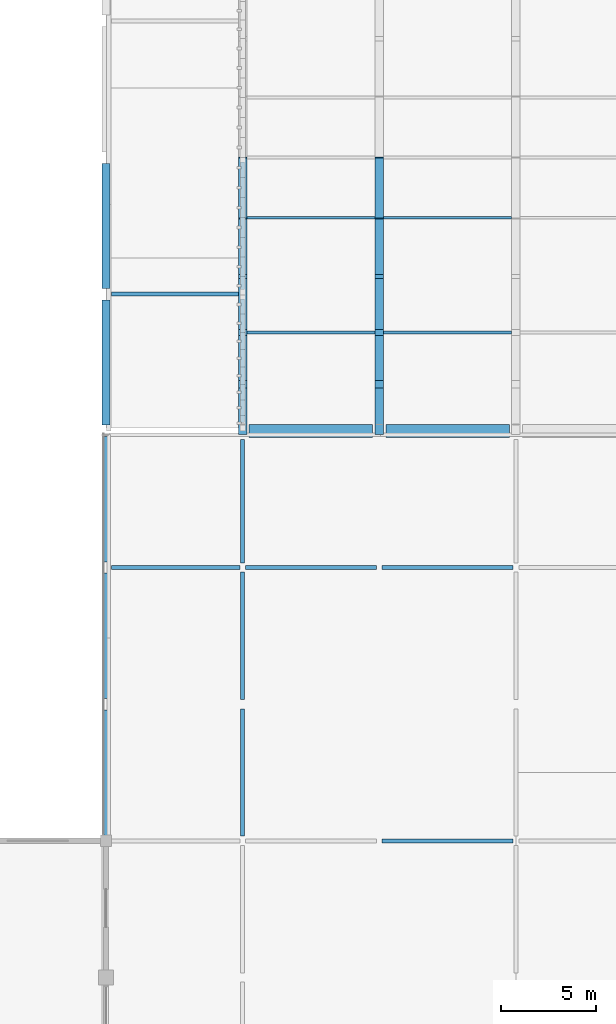
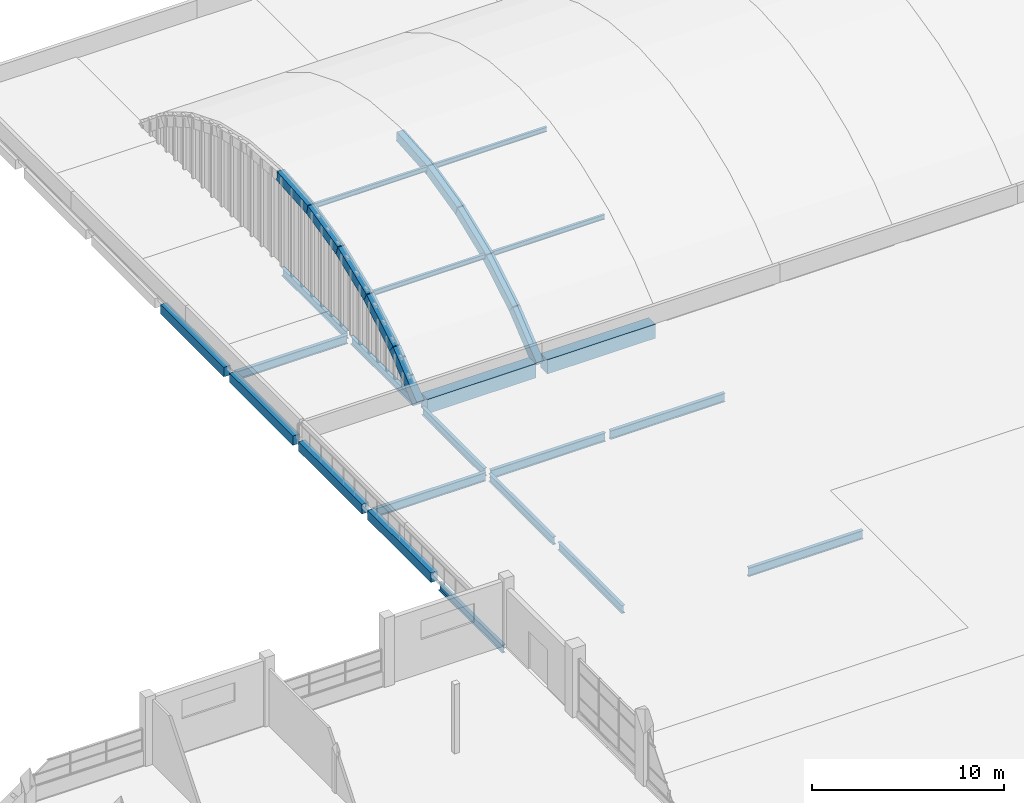
# One storey, part 24 of 71: 31 beams.
"""IFC4 building model written with IfcOpenShell, lengths in metres."""

from ifc_helpers import new_model, si_unit, direction, frame, origin, origin_2d, place, context, subcontext, project, spatial, rectangle, i_section, extrude, material, material_profile, profile_set, type_object, element, save


model = new_model("IFC4")

# Units and contexts
model_context = context("Model", 3, precision=1e-05, world=origin(), true_north=direction((0.0, 1.0)))
body_context = subcontext(model_context, "Body", "Model", "MODEL_VIEW")
ifc_project = project(units=[si_unit("LENGTHUNIT", "METRE"), si_unit("AREAUNIT", "SQUARE_METRE"), si_unit("VOLUMEUNIT", "CUBIC_METRE"), si_unit("PLANEANGLEUNIT", "RADIAN"), si_unit("MASSUNIT", "GRAM", prefix="KILO")], contexts=[model_context])

# Site, building, storey
site_placement = place(None, origin())
site = spatial("IfcSite", under=ifc_project, at=site_placement, CompositionType="ELEMENT")
building_placement = place(site_placement, origin())
building = spatial("IfcBuilding", under=site, at=building_placement, Name="Sardonyx Promenade Sports Hall", CompositionType="ELEMENT")
storey_placement = place(building_placement, frame((0.0, 0.0, 16.0)))
storey = spatial("IfcBuildingStorey", under=building, at=storey_placement, Name="L03", CompositionType="ELEMENT", Elevation=16.0)

# Beams
ifc_material_1 = material(Name="Steel S355JR", Category="steel")
ifc_material_profile_1 = material_profile(ifc_material_1, i_section(OverallWidth=0.199951171875, OverallDepth=0.5, WebThickness=0.01025390625, FlangeThickness=0.01611328125, at=origin_2d()))
ifc_profile_set_1 = profile_set([ifc_material_profile_1], Name="Steel S355JR")
beam_type_1 = type_object("IfcBeamType", Name="Bm_Primary_IPE500", PredefinedType="BEAM", material=ifc_profile_set_1)
beam_1_placement = place(storey_placement, frame((108.0, 29.044921875, -0.489990234375), z_axis=(0.0, 1.0, 0.0), x_axis=(-1.0, 0.0, 0.0)))
element("IfcBeam", 1, at=beam_1_placement, inside=storey, type_object=beam_type_1, Name="Beam SB06 L03 #873", PredefinedType="BEAM", context=body_context, shape_type="SweptSolid", body=[
    extrude(i_section(OverallWidth=0.199951171875, OverallDepth=0.5, WebThickness=0.01025390625, FlangeThickness=0.01611328125, at=origin_2d()), origin(), (0.0, 0.0, 1.0), 6.655029296875),
])
for number, where, z_axis, x_axis, name in (
    (2, (115.199951171875, 29.044921875, -0.489990234375), (0.0, 1.0, 0.0), (-1.0, 0.0, 0.0), "Beam SB06 L03 #885"),
    (3, (115.199951171875, 36.2451171875, -0.489990234375), (0.0, 1.0, 0.0), (-1.0, 0.0, 0.0), "Beam SB06 L03 #886"),
):
    element("IfcBeam", number, at=place(storey_placement, frame(where, z_axis=z_axis, x_axis=x_axis)), inside=storey, type_object=beam_type_1, Name=name, PredefinedType="BEAM", context=body_context, shape_type="SweptSolid", body=[
        extrude(i_section(OverallWidth=0.199951171875, OverallDepth=0.5, WebThickness=0.01025390625, FlangeThickness=0.01611328125, at=origin_2d()), origin(), (0.0, 0.0, 1.0), 6.7099609375),
    ])
for number, where, z_axis, x_axis, name in (
    (4, (115.199951171875, 43.445068359375, -0.489990234375), (0.0, 1.0, 0.0), (-1.0, 0.0, 0.0), "Beam SB06 L03 #887"),
    (5, (115.199951171875, 50.85009765625, -0.47998046875), (0.0, 1.0, 0.0), (-1.0, 0.0, 0.0), "Beam SB06 L03 #888"),
):
    element("IfcBeam", number, at=place(storey_placement, frame(where, z_axis=z_axis, x_axis=x_axis)), inside=storey, type_object=beam_type_1, Name=name, PredefinedType="BEAM", context=body_context, shape_type="SweptSolid", body=[
        extrude(i_section(OverallWidth=0.199951171875, OverallDepth=0.5, WebThickness=0.01025390625, FlangeThickness=0.01611328125, at=origin_2d()), origin(), (0.0, 0.0, 1.0), 6.5048828125),
    ])
beam_2_placement = place(storey_placement, frame((115.199951171875, 57.844970703125, -0.47998046875), z_axis=(0.0, 1.0, 0.0), x_axis=(-1.0, 0.0, 0.0)))
element("IfcBeam", 6, at=beam_2_placement, inside=storey, type_object=beam_type_1, Name="Beam SB06 L03 #889", PredefinedType="BEAM", context=body_context, shape_type="SweptSolid", body=[
    extrude(i_section(OverallWidth=0.199951171875, OverallDepth=0.5, WebThickness=0.01025390625, FlangeThickness=0.01611328125, at=origin_2d()), origin(), (0.0, 0.0, 1.0), 6.7099609375),
])
ifc_material_2 = material(Name="Steel S355JR", Category="steel")
ifc_material_profile_2 = material_profile(ifc_material_2, i_section(OverallWidth=0.2099609375, OverallDepth=0.550048828125, WebThickness=0.010986328125, FlangeThickness=0.01708984375, at=origin_2d()))
ifc_profile_set_2 = profile_set([ifc_material_profile_2], Name="Steel S355JR")
beam_type_2 = type_object("IfcBeamType", Name="Bm_Primary_IPE550", PredefinedType="BEAM", material=ifc_profile_set_2)
beam_3_placement = place(storey_placement, frame((122.550048828125, 28.800048828125, -0.514892578125), z_axis=(1.0, 0.0, 0.0), x_axis=(0.0, 1.0, 0.0)))
element("IfcBeam", 7, at=beam_3_placement, inside=storey, type_object=beam_type_2, Name="Beam SB03 L03 #769", PredefinedType="BEAM", context=body_context, shape_type="SweptSolid", body=[
    extrude(i_section(OverallWidth=0.2099609375, OverallDepth=0.550048828125, WebThickness=0.010986328125, FlangeThickness=0.01708984375, at=origin_2d()), origin(), (0.0, 0.0, 1.0), 6.89990234375),
])
beam_4_placement = place(storey_placement, frame((108.300048828125, 43.199951171875, -0.514892578125), z_axis=(1.0, 0.0, 0.0), x_axis=(0.0, 1.0, 0.0)))
element("IfcBeam", 8, at=beam_4_placement, inside=storey, type_object=beam_type_2, Name="Beam SB03 L03 #776", PredefinedType="BEAM", context=body_context, shape_type="SweptSolid", body=[
    extrude(i_section(OverallWidth=0.2099609375, OverallDepth=0.550048828125, WebThickness=0.010986328125, FlangeThickness=0.01708984375, at=origin_2d()), origin(), (0.0, 0.0, 1.0), 6.75),
])
for number, where, z_axis, x_axis, name in (
    (9, (115.35009765625, 43.199951171875, -0.514892578125), (1.0, 0.0, 0.0), (0.0, 1.0, 0.0), "Beam SB03 L03 #777"),
    (10, (122.550048828125, 43.199951171875, -0.514892578125), (1.0, 0.0, 0.0), (0.0, 1.0, 0.0), "Beam SB03 L03 #778"),
):
    element("IfcBeam", number, at=place(storey_placement, frame(where, z_axis=z_axis, x_axis=x_axis)), inside=storey, type_object=beam_type_2, Name=name, PredefinedType="BEAM", context=body_context, shape_type="SweptSolid", body=[
        extrude(i_section(OverallWidth=0.2099609375, OverallDepth=0.550048828125, WebThickness=0.010986328125, FlangeThickness=0.01708984375, at=origin_2d()), origin(), (0.0, 0.0, 1.0), 6.89990234375),
    ])
beam_5_placement = place(storey_placement, frame((108.300048828125, 57.60009765625, -0.5048828125), z_axis=(1.0, 0.0, 0.0), x_axis=(0.0, 1.0, 0.0)))
element("IfcBeam", 11, at=beam_5_placement, inside=storey, type_object=beam_type_2, Name="Beam SB03 L03 #785", PredefinedType="BEAM", context=body_context, shape_type="SweptSolid", body=[
    extrude(i_section(OverallWidth=0.2099609375, OverallDepth=0.550048828125, WebThickness=0.010986328125, FlangeThickness=0.01708984375, at=origin_2d()), origin(), (0.0, 0.0, 1.0), 6.75),
])
ifc_material_3 = material(Name="Concrete C40/50", Category="concrete")
ifc_material_profile_3 = material_profile(ifc_material_3, rectangle(XDim=0.699951171875, YDim=0.89990234375, at=origin_2d()))
ifc_profile_set_3 = profile_set([ifc_material_profile_3], Name="Concrete C40/50")
beam_type_3 = type_object("IfcBeamType", Name="Bm_Ring_Prac", PredefinedType="BEAM", material=ifc_profile_set_3)
beam_6_placement = place(storey_placement, frame((115.544921875, 50.39990234375, -0.449951171875), z_axis=(1.0, 0.0, 0.0), x_axis=(0.0, 1.0, 0.0)))
element("IfcBeam", 12, at=beam_6_placement, inside=storey, type_object=beam_type_3, Name="Vault springing ring beam RB2 V2 S1", PredefinedType="BEAM", context=body_context, shape_type="SweptSolid", body=[
    extrude(rectangle(XDim=0.699951171875, YDim=0.89990234375, at=origin_2d()), origin(), (0.0, 0.0, 1.0), 6.510009765625),
])
beam_7_placement = place(storey_placement, frame((122.7451171875, 50.39990234375, -0.449951171875), z_axis=(1.0, 0.0, 0.0), x_axis=(0.0, 1.0, 0.0)))
element("IfcBeam", 13, at=beam_7_placement, inside=storey, type_object=beam_type_3, Name="Vault springing ring beam RB2 V2 S2", PredefinedType="BEAM", context=body_context, shape_type="SweptSolid", body=[
    extrude(rectangle(XDim=0.699951171875, YDim=0.89990234375, at=origin_2d()), origin(), (0.0, 0.0, 1.0), 6.509765625),
])
ifc_material_4 = material(Name="Concrete C40/50", Category="concrete")
ifc_material_profile_4 = material_profile(ifc_material_4, rectangle(XDim=0.39990234375, YDim=0.60009765625, at=origin_2d()))
ifc_profile_set_4 = profile_set([ifc_material_profile_4], Name="Concrete C40/50")
beam_type_4 = type_object("IfcBeamType", Name="Bm_Spandrel_RC600", PredefinedType="SPANDREL", material=ifc_profile_set_4)
beam_8_placement = place(storey_placement, frame((108.0, 36.300048828125, -0.300048828125), z_axis=(0.0, 1.0, 0.0), x_axis=(-1.0, 0.0, 0.0)))
element("IfcBeam", 14, at=beam_8_placement, inside=storey, type_object=beam_type_4, Name="Beam SPB1 L03 #874", PredefinedType="SPANDREL", context=body_context, shape_type="SweptSolid", body=[
    extrude(rectangle(XDim=0.39990234375, YDim=0.60009765625, at=origin_2d()), origin(), (0.0, 0.0, 1.0), 6.599853515625),
])
for number, where, z_axis, x_axis, name in (
    (15, (108.0, 43.5, -0.300048828125), (0.0, 1.0, 0.0), (-1.0, 0.0, 0.0), "Beam SPB1 L03 #875"),
    (16, (108.0, 50.699951171875, -0.300048828125), (0.0, 1.0, 0.0), (-1.0, 0.0, 0.0), "Beam SPB1 L03 #876"),
    (17, (108.0, 57.89990234375, -0.300048828125), (0.0, 1.0, 0.0), (-1.0, 0.0, 0.0), "Beam SPB1 L03 #877"),
):
    element("IfcBeam", number, at=place(storey_placement, frame(where, z_axis=z_axis, x_axis=x_axis)), inside=storey, type_object=beam_type_4, Name=name, PredefinedType="SPANDREL", context=body_context, shape_type="SweptSolid", body=[
        extrude(rectangle(XDim=0.39990234375, YDim=0.60009765625, at=origin_2d()), origin(), (0.0, 0.0, 1.0), 6.60009765625),
    ])
ifc_material_5 = material(Name="Steel S355JR", Category="steel")
ifc_material_profile_5 = material_profile(ifc_material_5, i_section(OverallWidth=0.14990234375, OverallDepth=0.300048828125, WebThickness=0.007080078125, FlangeThickness=0.0107421875, at=origin_2d()))
ifc_profile_set_5 = profile_set([ifc_material_profile_5], Name="Steel S355JR")
beam_type_5 = type_object("IfcBeamType", Name="Bm_VaultPurlin_Ext", PredefinedType="BEAM", material=ifc_profile_set_5)
for number, where, z_axis, x_axis, name in (
    (18, (115.423095703125, 55.58642578125, 3.47509765625), (1.0, 0.0, 0.0), (0.0, 1.0, 0.0), "Vault longitudinal purlin V2 bay 1 line 2"),
    (19, (115.423095703125, 61.63037109375, 5.38671875), (1.0, 0.0, 0.0), (0.0, 1.0, 0.0), "Vault longitudinal purlin V2 bay 1 line 4"),
    (20, (122.623046875, 55.58642578125, 3.47509765625), (1.0, 0.0, 0.0), (0.0, 1.0, 0.0), "Vault longitudinal purlin V2 bay 2 line 2"),
    (21, (122.623046875, 61.63037109375, 5.38671875), (1.0, 0.0, 0.0), (0.0, 1.0, 0.0), "Vault longitudinal purlin V2 bay 2 line 4"),
):
    element("IfcBeam", number, at=place(storey_placement, frame(where, z_axis=z_axis, x_axis=x_axis)), inside=storey, type_object=beam_type_5, Name=name, PredefinedType="BEAM", context=body_context, shape_type="SweptSolid", body=[
        extrude(i_section(OverallWidth=0.14990234375, OverallDepth=0.300048828125, WebThickness=0.007080078125, FlangeThickness=0.0107421875, at=origin_2d()), origin(), (0.0, 0.0, 1.0), 6.75390625),
    ])
ifc_material_6 = material(Name="Concrete C40/50", Category="concrete")
ifc_material_profile_6 = material_profile(ifc_material_6, rectangle(XDim=0.449951171875, YDim=0.60009765625, at=origin_2d()))
ifc_profile_set_6 = profile_set([ifc_material_profile_6], Name="Concrete C40/50")
beam_type_6 = type_object("IfcBeamType", Name="Bm_VaultRib_Prac", PredefinedType="USERDEFINED", material=ifc_profile_set_6)
for number, where, z_axis, x_axis, name in (
    (22, (115.199951171875, 50.39990234375, -0.300048828125), (0.0, 0.771728467273, 0.635952178076), (-1.0, 0.0, 0.0), "Barrel-vault arch rib AR2 Grid 17 chord 1"),
    (23, (115.199951171875, 52.853271484375, 1.7216796875), (0.0, 0.859754640273, 0.510707311998), (-1.0, 0.0, 0.0), "Barrel-vault arch rib AR2 Grid 17 chord 2"),
):
    element("IfcBeam", number, at=place(storey_placement, frame(where, z_axis=z_axis, x_axis=x_axis)), inside=storey, type_object=beam_type_6, Name=name, ObjectType="ARCH RIB", PredefinedType="USERDEFINED", context=body_context, shape_type="SweptSolid", body=[
        extrude(rectangle(XDim=0.449951171875, YDim=0.60009765625, at=origin_2d()), origin(), (0.0, 0.0, 1.0), 3.178955078125),
    ])
beam_9_placement = place(storey_placement, frame((115.199951171875, 55.58642578125, 3.34521484375), z_axis=(0.0, 0.927568165984, 0.373653980915), x_axis=(-1.0, 0.0, 0.0)))
element("IfcBeam", 24, at=beam_9_placement, inside=storey, type_object=beam_type_6, Name="Barrel-vault arch rib AR2 Grid 17 chord 3", ObjectType="ARCH RIB", PredefinedType="USERDEFINED", context=body_context, shape_type="SweptSolid", body=[
    extrude(rectangle(XDim=0.449951171875, YDim=0.60009765625, at=origin_2d()), origin(), (0.0, 0.0, 1.0), 3.1787109375),
])
for number, where, z_axis, x_axis, name in (
    (25, (115.199951171875, 58.534912109375, 4.532958984375), (0.0, 0.973729495591, 0.227707859802), (-1.0, 0.0, 0.0), "Barrel-vault arch rib AR2 Grid 17 chord 4"),
    (26, (115.199951171875, 61.63037109375, 5.2568359375), (0.0, 0.997070275696, 0.076490949287), (-1.0, 0.0, 0.0), "Barrel-vault arch rib AR2 Grid 17 chord 5"),
    (27, (122.39990234375, 50.39990234375, -0.300048828125), (0.0, 0.771728467273, 0.635952178076), (-1.0, 0.0, 0.0), "Barrel-vault arch rib AR2 Grid 18 chord 1"),
    (28, (122.39990234375, 52.853271484375, 1.7216796875), (0.0, 0.859754640273, 0.510707311998), (-1.0, 0.0, 0.0), "Barrel-vault arch rib AR2 Grid 18 chord 2"),
):
    element("IfcBeam", number, at=place(storey_placement, frame(where, z_axis=z_axis, x_axis=x_axis)), inside=storey, type_object=beam_type_6, Name=name, ObjectType="ARCH RIB", PredefinedType="USERDEFINED", context=body_context, shape_type="SweptSolid", body=[
        extrude(rectangle(XDim=0.449951171875, YDim=0.60009765625, at=origin_2d()), origin(), (0.0, 0.0, 1.0), 3.178955078125),
    ])
beam_10_placement = place(storey_placement, frame((122.39990234375, 55.58642578125, 3.34521484375), z_axis=(0.0, 0.927568165984, 0.373653980915), x_axis=(-1.0, 0.0, 0.0)))
element("IfcBeam", 29, at=beam_10_placement, inside=storey, type_object=beam_type_6, Name="Barrel-vault arch rib AR2 Grid 18 chord 3", ObjectType="ARCH RIB", PredefinedType="USERDEFINED", context=body_context, shape_type="SweptSolid", body=[
    extrude(rectangle(XDim=0.449951171875, YDim=0.60009765625, at=origin_2d()), origin(), (0.0, 0.0, 1.0), 3.1787109375),
])
for number, where, z_axis, x_axis, name in (
    (30, (122.39990234375, 58.534912109375, 4.532958984375), (0.0, 0.973729495591, 0.227707859802), (-1.0, 0.0, 0.0), "Barrel-vault arch rib AR2 Grid 18 chord 4"),
    (31, (122.39990234375, 61.63037109375, 5.2568359375), (0.0, 0.997070275696, 0.076490949287), (-1.0, 0.0, 0.0), "Barrel-vault arch rib AR2 Grid 18 chord 5"),
):
    element("IfcBeam", number, at=place(storey_placement, frame(where, z_axis=z_axis, x_axis=x_axis)), inside=storey, type_object=beam_type_6, Name=name, ObjectType="ARCH RIB", PredefinedType="USERDEFINED", context=body_context, shape_type="SweptSolid", body=[
        extrude(rectangle(XDim=0.449951171875, YDim=0.60009765625, at=origin_2d()), origin(), (0.0, 0.0, 1.0), 3.178955078125),
    ])

save(model, "model.ifc")
